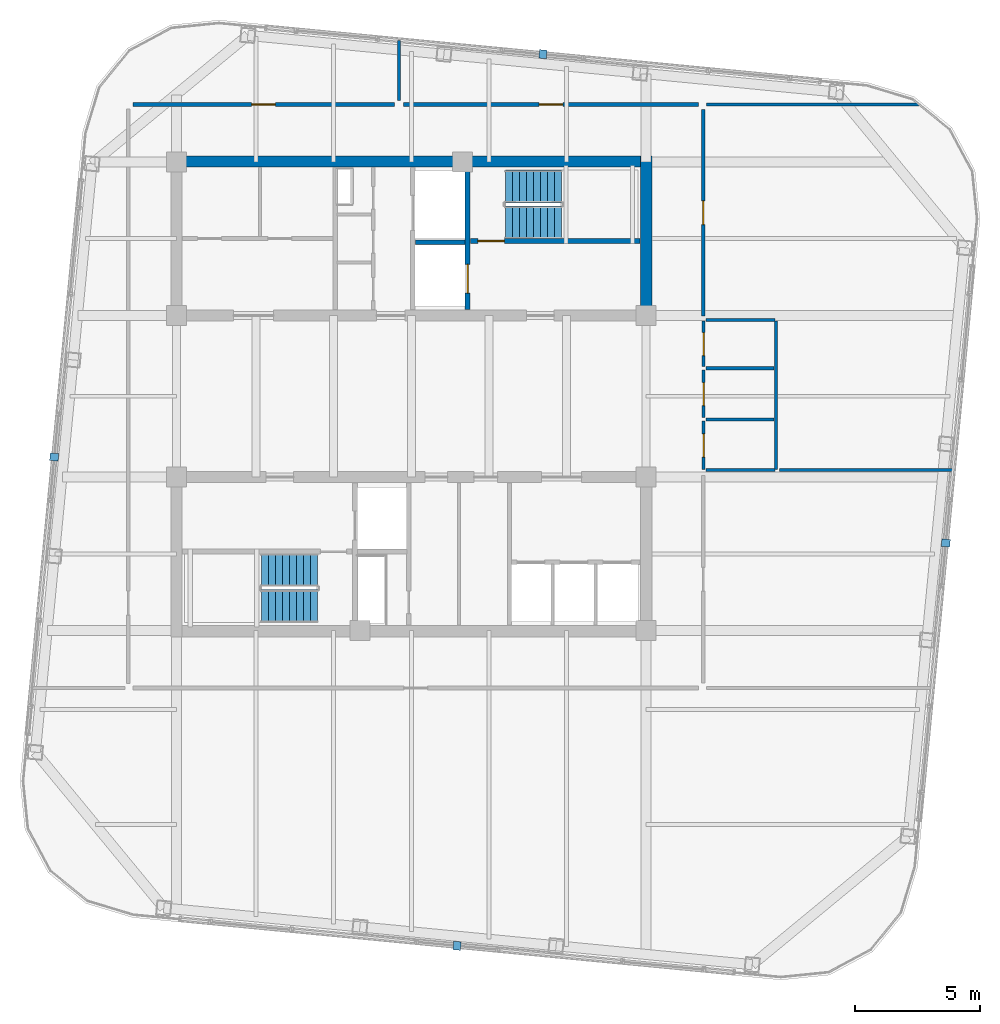
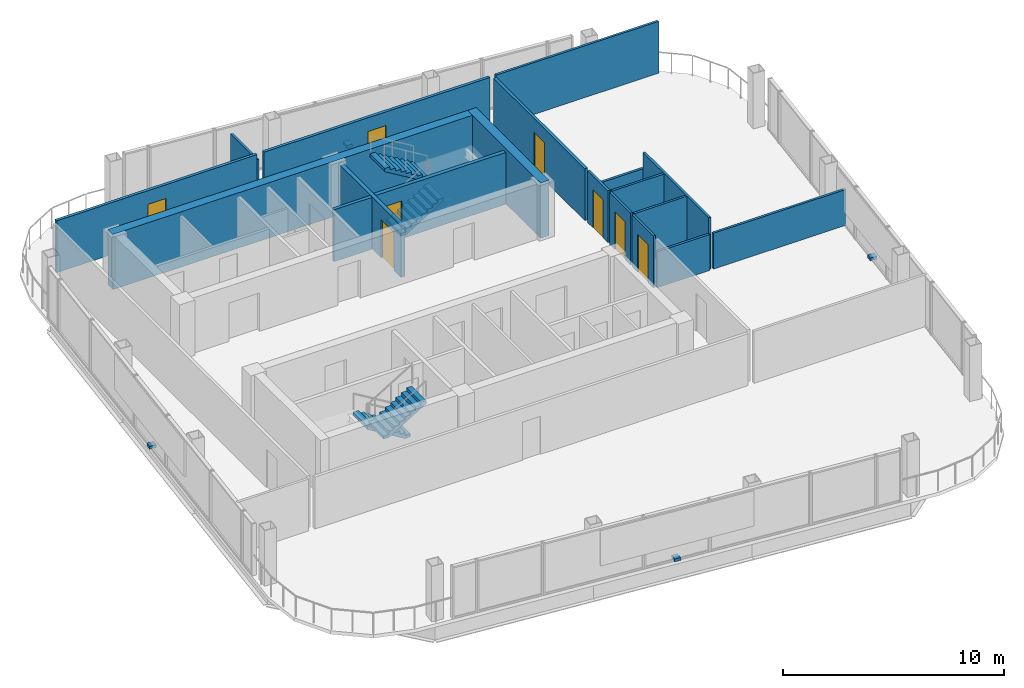
# One storey, part 18 of 22: 19 walls, 8 doors, 4 discrete accessories, 4 stair flights, 8 openings, 2 elements without a shape of their own.
"""IFC4 building model written with IfcOpenShell, lengths in metres."""

import ifcopenshell
import ifcopenshell.guid

model = None  # the IFC model being written
_history = None  # IfcOwnerHistory: only IFC2X3 demands one
_inside = {}  # id of a spatial element -> (the spatial element, [elements in it])
_under = {}  # id of a project, library or spatial element -> (it, [spatial elements below it])
_declared = {}  # id of a project -> (the project, [libraries it declares])
_typed = {}  # id of a type object -> (the type object, [elements of that type])
_made_of = {}  # id of a material, layer set ... -> (it, [elements and type objects made of it])


def new_model(schema):
    """Start an empty IFC model of exactly this schema.

    Asked for "IFC4X3", IfcOpenShell would pick the latest addendum, in which some entities
    have other attributes; the version numbers below select the first issue.
    IFC2X3 requires an IfcOwnerHistory on every rooted entity: one is made here for all.
    """
    global model, _history
    if schema == "IFC4X3":
        model = ifcopenshell.file(schema_version=(4, 3, 0, 0))
    else:
        model = ifcopenshell.file(schema=schema)
    _inside.clear()
    _under.clear()
    _declared.clear()
    _typed.clear()
    _made_of.clear()
    _history = None
    if model.schema == "IFC2X3":
        org = make("IfcOrganization", Name="unknown")
        user = make(
            "IfcPersonAndOrganization",
            ThePerson=make("IfcPerson", FamilyName="unknown"),
            TheOrganization=org,
        )
        app = make(
            "IfcApplication",
            ApplicationDeveloper=org,
            Version="unknown",
            ApplicationFullName="unknown",
            ApplicationIdentifier="unknown",
        )
        _history = make(
            "IfcOwnerHistory",
            OwningUser=user,
            OwningApplication=app,
            ChangeAction="ADDED",
            CreationDate=0,
        )
    return model


def make(cls, **values):
    """One entity of the class cls with the attributes given. An attribute that is None is left unset."""
    return model.create_entity(
        cls, **{name: value for name, value in values.items() if value is not None}
    )


def rooted(cls, **values):
    """An entity with a GlobalId (a new one), such as an element, a storey or a relation."""
    return make(cls, GlobalId=ifcopenshell.guid.new(), OwnerHistory=_history, **values)


def si_unit(unit_type, name, prefix=None):
    """IfcSIUnit, for example si_unit("LENGTHUNIT", "METRE", prefix="MILLI")."""
    return make("IfcSIUnit", UnitType=unit_type, Prefix=prefix, Name=name)


def assignment(units):
    """IfcUnitAssignment: the units of a project."""
    return None if units is None else make("IfcUnitAssignment", Units=units)


def point(xyz):
    """IfcCartesianPoint."""
    return None if xyz is None else make("IfcCartesianPoint", Coordinates=xyz)


def direction(xyz):
    """IfcDirection."""
    return None if xyz is None else make("IfcDirection", DirectionRatios=xyz)


def frame(location, z_axis=None, x_axis=None):
    """IfcAxis2Placement3D, a coordinate frame: its origin and axes. An axis left out is left unset."""
    return make(
        "IfcAxis2Placement3D",
        Location=point(location),
        Axis=direction(z_axis),
        RefDirection=direction(x_axis),
    )


def frame_2d(location, x_axis=None):
    """IfcAxis2Placement2D, a coordinate frame in the plane: its origin and x axis."""
    return make(
        "IfcAxis2Placement2D", Location=point(location), RefDirection=direction(x_axis)
    )


def origin():
    """The frame at (0, 0, 0) with its axes left unset."""
    return frame((0.0, 0.0, 0.0))


def origin_2d():
    """The frame at (0, 0) in the plane with its x axis left unset."""
    return frame_2d((0.0, 0.0))


def place(relative_to, where):
    """IfcLocalPlacement: puts the frame where relative to a parent placement (None: the world)."""
    return make(
        "IfcLocalPlacement", PlacementRelTo=relative_to, RelativePlacement=where
    )


def context(
    kind, dimensions, precision=None, world=None, true_north=None, identifier=None
):
    """IfcGeometricRepresentationContext, for example the 3D "Model" context."""
    return make(
        "IfcGeometricRepresentationContext",
        ContextIdentifier=identifier,
        ContextType=kind,
        CoordinateSpaceDimension=dimensions,
        Precision=precision,
        WorldCoordinateSystem=world,
        TrueNorth=true_north,
    )


def subcontext(parent, identifier, kind, view, scale=None):
    """IfcGeometricRepresentationSubContext, for example "Body" below "Model"."""
    return make(
        "IfcGeometricRepresentationSubContext",
        ContextIdentifier=identifier,
        ContextType=kind,
        ParentContext=parent,
        TargetScale=scale,
        TargetView=view,
    )


def project(units=None, contexts=None):
    """IfcProject with its units and contexts."""
    return rooted(
        "IfcProject",
        Name="project",
        RepresentationContexts=contexts,
        UnitsInContext=assignment(units),
    )


def spatial(cls, under=None, at=None, **own):
    """A site, building, storey or space (cls), placed at a placement, below another one or the project."""
    s = rooted(cls, ObjectPlacement=at, **own)
    if under is not None:
        _under.setdefault(under.id(), (under, []))[1].append(s)
    return s


def polyline(points):
    """IfcPolyline through the points."""
    return make("IfcPolyline", Points=[point(p) for p in points])


def profile(cls, at=None, kind="AREA", **sizes):
    """A parametric profile (cls). Its sizes go by their IFC names, for example OverallWidth=200.0."""
    return make(cls, ProfileType=kind, Position=at, **sizes)


def rectangle(**sizes):
    """IfcRectangleProfileDef."""
    return profile("IfcRectangleProfileDef", **sizes)


def outline(outer, holes=None, kind="AREA"):
    """IfcArbitraryClosedProfileDef: a profile drawn as a closed curve; with holes, ...WithVoids."""
    if holes is None:
        return make("IfcArbitraryClosedProfileDef", ProfileType=kind, OuterCurve=outer)
    return make(
        "IfcArbitraryProfileDefWithVoids",
        ProfileType=kind,
        OuterCurve=outer,
        InnerCurves=holes,
    )


def extrude(swept, where, along, depth):
    """IfcExtrudedAreaSolid: the profile swept, set in the frame where, extruded along a direction by depth."""
    return make(
        "IfcExtrudedAreaSolid",
        SweptArea=swept,
        Position=where,
        ExtrudedDirection=direction(along),
        Depth=depth,
    )


def shape(context_of_items, identifier, shape_type, items):
    """IfcShapeRepresentation: the items that make up one representation, for example the "Body"."""
    return make(
        "IfcShapeRepresentation",
        ContextOfItems=context_of_items,
        RepresentationIdentifier=identifier,
        RepresentationType=shape_type,
        Items=items,
    )


def material(Name=None, Category=None):
    """IfcMaterial."""
    return make("IfcMaterial", Name=Name, Category=Category)


def layer(
    of_material, thickness, ventilated=None, Name=None, Category=None, Priority=None
):
    """IfcMaterialLayer: one layer of a wall or slab, of a material (None: an air gap)."""
    return make(
        "IfcMaterialLayer",
        Material=of_material,
        LayerThickness=thickness,
        IsVentilated=ventilated,
        Name=Name,
        Category=Category,
        Priority=Priority,
    )


def layer_set(layers, Name=None):
    """IfcMaterialLayerSet."""
    return make("IfcMaterialLayerSet", MaterialLayers=layers, LayerSetName=Name)


def made_of(thing, what):
    """Note that an element or type object is made of a material, layer set ...; save() writes the relation."""
    if what is not None:
        _made_of.setdefault(what.id(), (what, []))[1].append(thing)
    return thing


def type_object(cls, material=None, **own):
    """A type object (cls), such as IfcWallType, which elements share."""
    return made_of(rooted(cls, **own), material)


def element(
    cls,
    number,
    at=None,
    inside=None,
    cuts=None,
    type_object=None,
    material=None,
    context=None,
    identifier="Body",
    shape_type=None,
    held_by="IfcProductDefinitionShape",
    body=None,
    shapes=None,
    **own,
):
    """One element of the class cls, such as IfcWall. Its Tag is "e" and its number.

    at: its placement. inside: the storey or other place that contains it. cuts: it is an
    opening in that element (IfcRelVoidsElement). A single representation is given by context,
    identifier, shape_type and body (its items); several are given by shapes. held_by: the class
    of the entity that holds the representations. save() writes the other relations.
    """
    e = rooted(cls, Tag="e%d" % number, ObjectPlacement=at, **own)
    if body is not None:
        shapes = [shape(context, identifier, shape_type, body)]
    if shapes is not None:
        e.Representation = make(held_by, Representations=shapes)
    if inside is not None:
        _inside.setdefault(inside.id(), (inside, []))[1].append(e)
    if cuts is not None:
        rooted(
            "IfcRelVoidsElement", RelatingBuildingElement=cuts, RelatedOpeningElement=e
        )
    if type_object is not None:
        _typed.setdefault(type_object.id(), (type_object, []))[1].append(e)
    return made_of(e, material)


def fill(opening, filler):
    """IfcRelFillsElement: the door or window that sits in an opening."""
    return rooted(
        "IfcRelFillsElement",
        RelatingOpeningElement=opening,
        RelatedBuildingElement=filler,
    )


def aggregate(whole, parts):
    """IfcRelAggregates: a whole, such as a stair, and the parts it consists of."""
    return rooted("IfcRelAggregates", RelatingObject=whole, RelatedObjects=parts)


def save(model, path):
    """Write the relations noted so far, then the file.

    IfcRelAggregates (storeys below a building ...), IfcRelContainedInSpatialStructure (elements
    in a storey), IfcRelDefinesByType, IfcRelAssociatesMaterial and IfcRelDeclares: one each for
    every whole, place, type object, material and project.
    """
    for whole, parts in _under.values():
        aggregate(whole, parts)
    for where, things in _inside.values():
        rooted(
            "IfcRelContainedInSpatialStructure",
            RelatedElements=things,
            RelatingStructure=where,
        )
    for kind, things in _typed.values():
        rooted("IfcRelDefinesByType", RelatedObjects=things, RelatingType=kind)
    for what, things in _made_of.values():
        rooted("IfcRelAssociatesMaterial", RelatedObjects=things, RelatingMaterial=what)
    for by, libraries in _declared.values():
        rooted("IfcRelDeclares", RelatingContext=by, RelatedDefinitions=libraries)
    model.write(path)


model = new_model("IFC4")

# Units and contexts
model_context = context("Model", 3, precision=1e-05, world=origin(), true_north=direction((0.0, 1.0)))
body_context = subcontext(model_context, "Body", "Model", "MODEL_VIEW")
ifc_project = project(units=[si_unit("LENGTHUNIT", "METRE"), si_unit("AREAUNIT", "SQUARE_METRE"), si_unit("VOLUMEUNIT", "CUBIC_METRE"), si_unit("PLANEANGLEUNIT", "RADIAN"), si_unit("MASSUNIT", "GRAM", prefix="KILO")], contexts=[model_context])

# Site, building, storey
site_placement = place(None, origin())
site = spatial("IfcSite", under=ifc_project, at=site_placement, CompositionType="ELEMENT")
building_placement = place(site_placement, origin())
building = spatial("IfcBuilding", under=site, at=building_placement, Name="Qhalaya Broadcast Tower", CompositionType="ELEMENT")
storey_placement = place(building_placement, frame((0.0, 0.0, 245.89990234375)))
storey = spatial("IfcBuildingStorey", under=building, at=storey_placement, Name="L72", CompositionType="ELEMENT", Elevation=245.89990234375)

# Wall, opening, door
ifc_material_1 = material(Name="Gypsum Acoustic Partition")
ifc_layer_1 = layer(ifc_material_1, 0.14990234375, Name="Gypsum Acoustic Partition")
ifc_layer_set_1 = layer_set([ifc_layer_1], Name="Gypsum Acoustic Partition")
wall_type_1 = type_object("IfcWallType", Name="Corridor & Tenancy Acoustic Partition 150", PredefinedType="PARTITIONING", material=ifc_layer_set_1)
wall_1_placement = place(storey_placement, frame((-11.1201171875, 12.25, 0.0), z_axis=(0.0, 0.0, 1.0), x_axis=(1.0, 0.0, 0.0)))
wall_1 = element("IfcWall", 1, at=wall_1_placement, inside=storey, type_object=wall_type_1, Name="L72 Partition Wall W-COR-01", PredefinedType="PARTITIONING", context=body_context, shape_type="SweptSolid", body=[
    extrude(rectangle(XDim=10.440185546875, YDim=0.14990234375, at=frame_2d((5.22021484375, 0.0))), origin(), (0.0, 0.0, 1.0), 2.860107421875),
])
opening_1_placement = place(wall_1_placement, frame((4.7451171875, 0.0, 0.0)))
opening_1 = element("IfcOpeningElement", 2, at=opening_1_placement, cuts=wall_1, Name="Opening D10", PredefinedType="OPENING", context=body_context, shape_type="SweptSolid", body=[
    extrude(rectangle(XDim=0.949951171875, YDim=2.10009765625, at=frame_2d((0.47509765625, 1.050048828125))), frame((0.0, 0.0869140625, 0.0), z_axis=(0.0, -1.0, 0.0), x_axis=(1.0, 0.0, 0.0)), (0.0, 0.0, 1.0), 0.173828125),
])
ifc_material_2 = material(Name="Timber Veneer Acoustic Door", Category="wood")
door_type_1 = type_object("IfcDoorType", Name="Cellular Office & Edit Booth Door D10", OperationType="NOTDEFINED", PredefinedType="DOOR", material=ifc_material_2)
door_1_placement = place(opening_1_placement, origin())
door_1 = element("IfcDoor", 3, at=door_1_placement, inside=storey, type_object=door_type_1, Name="L72 Door D-RM01", OperationType="SINGLE_SWING_RIGHT", OverallHeight=2.10009765625, OverallWidth=0.949951171875, PredefinedType="DOOR", context=body_context, shape_type="SweptSolid", body=[
    extrude(rectangle(XDim=0.949951171875, YDim=2.10009765625, at=frame_2d((0.47509765625, 1.050048828125))), frame((0.0, 0.02490234375, 0.0), z_axis=(0.0, -1.0, 0.0), x_axis=(1.0, 0.0, 0.0)), (0.0, 0.0, 1.0), 0.050048828125),
])
fill(opening_1, door_1)

wall_2_placement = place(storey_placement, frame((-0.320068359375, 12.25, 0.0), z_axis=(0.0, 0.0, 1.0), x_axis=(1.0, 0.0, 0.0)))
wall_2 = element("IfcWall", 4, at=wall_2_placement, inside=storey, type_object=wall_type_1, Name="L72 Partition Wall W-COR-02", PredefinedType="PARTITIONING", context=body_context, shape_type="SweptSolid", body=[
    extrude(rectangle(XDim=11.7900390625, YDim=0.14990234375, at=frame_2d((5.89501953125, 0.0))), origin(), (0.0, 0.0, 1.0), 2.860107421875),
])
opening_2_placement = place(wall_2_placement, frame((5.419921875, 0.0, 0.0)))
opening_2 = element("IfcOpeningElement", 5, at=opening_2_placement, cuts=wall_2, Name="Opening D10", PredefinedType="OPENING", context=body_context, shape_type="SweptSolid", body=[
    extrude(rectangle(XDim=0.949951171875, YDim=2.10009765625, at=frame_2d((0.47509765625, 1.050048828125))), frame((0.0, 0.0869140625, 0.0), z_axis=(0.0, -1.0, 0.0), x_axis=(1.0, 0.0, 0.0)), (0.0, 0.0, 1.0), 0.173828125),
])
door_2_placement = place(opening_2_placement, origin())
door_2 = element("IfcDoor", 6, at=door_2_placement, inside=storey, type_object=door_type_1, Name="L72 Door D-RM02", OperationType="SINGLE_SWING_LEFT", OverallHeight=2.10009765625, OverallWidth=0.949951171875, PredefinedType="DOOR", context=body_context, shape_type="SweptSolid", body=[
    extrude(rectangle(XDim=0.949951171875, YDim=2.10009765625, at=frame_2d((0.47509765625, 1.050048828125))), frame((0.0, 0.02490234375, 0.0), z_axis=(0.0, -1.0, 0.0), x_axis=(1.0, 0.0, 0.0)), (0.0, 0.0, 1.0), 0.050048828125),
])
fill(opening_2, door_2)

wall_3_placement = place(storey_placement, frame((11.64990234375, 3.800048828125, 0.0), z_axis=(0.0, 0.0, 1.0), x_axis=(0.0, 1.0, 0.0)))
wall_3 = element("IfcWall", 7, at=wall_3_placement, inside=storey, type_object=wall_type_1, Name="L72 Partition Wall W-COR-06", PredefinedType="PARTITIONING", context=body_context, shape_type="SweptSolid", body=[
    extrude(rectangle(XDim=8.25, YDim=0.14990234375, at=frame_2d((4.125, 0.0))), origin(), (0.0, 0.0, 1.0), 2.860107421875),
])
opening_3_placement = place(wall_3_placement, frame((3.64990234375, 0.0, 0.0)))
opening_3 = element("IfcOpeningElement", 8, at=opening_3_placement, cuts=wall_3, Name="Opening D10", PredefinedType="OPENING", context=body_context, shape_type="SweptSolid", body=[
    extrude(rectangle(XDim=0.949951171875, YDim=2.10009765625, at=frame_2d((0.47509765625, 1.050048828125))), frame((0.0, 0.0869140625, 0.0), z_axis=(0.0, -1.0, 0.0), x_axis=(1.0, 0.0, 0.0)), (0.0, 0.0, 1.0), 0.173828125),
])
door_3_placement = place(opening_3_placement, origin())
door_3 = element("IfcDoor", 9, at=door_3_placement, inside=storey, type_object=door_type_1, Name="L72 Door D-RM06", OperationType="SINGLE_SWING_LEFT", OverallHeight=2.10009765625, OverallWidth=0.949951171875, PredefinedType="DOOR", context=body_context, shape_type="SweptSolid", body=[
    extrude(rectangle(XDim=0.949951171875, YDim=2.10009765625, at=frame_2d((0.47509765625, 1.050048828125))), frame((0.0, 0.02490234375, 0.0), z_axis=(0.0, -1.0, 0.0), x_axis=(1.0, 0.0, 0.0)), (0.0, 0.0, 1.0), 0.050048828125),
])
fill(opening_3, door_3)

ifc_material_3 = material(Name="Concrete C50/60", Category="concrete")
ifc_layer_2 = layer(ifc_material_3, 0.199951171875, Name="Concrete C50/60")
ifc_layer_set_2 = layer_set([ifc_layer_2], Name="Concrete C50/60")
wall_type_2 = type_object("IfcWallType", Name="Load-Bearing Stair Shaft Wall 200", PredefinedType="SHEAR", material=ifc_layer_set_2)
wall_4_placement = place(storey_placement, frame((2.360107421875, 6.804931640625, 0.0), z_axis=(0.0, 0.0, 1.0), x_axis=(1.0, 0.0, 0.0)))
wall_4 = element("IfcWall", 10, at=wall_4_placement, inside=storey, type_object=wall_type_2, Name="L72 Stair Core Shear Wall NCW-ST1", PredefinedType="SHEAR", context=body_context, shape_type="SweptSolid", body=[
    extrude(rectangle(XDim=6.769775390625, YDim=0.199951171875, at=frame_2d((3.384765625, 0.0))), origin(), (0.0, 0.0, 1.0), 2.860107421875),
])
opening_4_placement = place(wall_4_placement, frame((0.300048828125, 0.0, 0.0)))
opening_4 = element("IfcOpeningElement", 11, at=opening_4_placement, cuts=wall_4, Name="Opening D03", PredefinedType="OPENING", context=body_context, shape_type="SweptSolid", body=[
    extrude(rectangle(XDim=1.050048828125, YDim=2.080078125, at=frame_2d((0.52490234375, 1.0400390625))), frame((0.0, 0.112060546875, 0.0), z_axis=(0.0, -1.0, 0.0), x_axis=(1.0, 0.0, 0.0)), (0.0, 0.0, 1.0), 0.223876953125),
])
ifc_material_4 = material(Name="Fire-Rated Steel Door", Category="steel")
door_type_2 = type_object("IfcDoorType", Name="Core Stair Protected Fire Door D03", OperationType="NOTDEFINED", PredefinedType="DOOR", material=ifc_material_4)
door_4_placement = place(opening_4_placement, origin())
door_4 = element("IfcDoor", 12, at=door_4_placement, inside=storey, type_object=door_type_2, Name="L72 Door D-NST1", OperationType="SINGLE_SWING_LEFT", OverallHeight=2.080078125, OverallWidth=1.050048828125, PredefinedType="DOOR", context=body_context, shape_type="SweptSolid", body=[
    extrude(rectangle(XDim=1.050048828125, YDim=2.080078125, at=frame_2d((0.52490234375, 1.0400390625))), frame((0.0, 0.02490234375, 0.0), z_axis=(0.0, -1.0, 0.0), x_axis=(1.0, 0.0, 0.0)), (0.0, 0.0, 1.0), 0.050048828125),
])
fill(opening_4, door_4)

wall_5_placement = place(storey_placement, frame((2.25, 4.070068359375, 0.0), z_axis=(0.0, 0.0, 1.0), x_axis=(0.0, 1.0, 0.0)))
wall_5 = element("IfcWall", 13, at=wall_5_placement, inside=storey, type_object=wall_type_2, Name="L72 Stair Core Shear Wall NCW-FF", PredefinedType="SHEAR", context=body_context, shape_type="SweptSolid", body=[
    extrude(rectangle(XDim=5.659912109375, YDim=0.199951171875, at=frame_2d((2.830078125, 0.0))), origin(), (0.0, 0.0, 1.0), 2.860107421875),
])
opening_5_placement = place(wall_5_placement, frame((0.64990234375, 0.0, 0.0)))
opening_5 = element("IfcOpeningElement", 14, at=opening_5_placement, cuts=wall_5, Name="Opening LD2", PredefinedType="OPENING", context=body_context, shape_type="SweptSolid", body=[
    extrude(rectangle(XDim=1.14990234375, YDim=2.080078125, at=frame_2d((0.574951171875, 1.0400390625))), frame((0.0, 0.112060546875, 0.0), z_axis=(0.0, -1.0, 0.0), x_axis=(1.0, 0.0, 0.0)), (0.0, 0.0, 1.0), 0.223876953125),
])
ifc_material_5 = material(Name="Brushed Stainless Steel Lift Door", Category="steel")
door_type_3 = type_object("IfcDoorType", Name="Firefighting Lift Sliding Landing Door LD2", OperationType="DOUBLE_DOOR_SLIDING", PredefinedType="DOOR", material=ifc_material_5)
door_5_placement = place(opening_5_placement, origin())
door_5 = element("IfcDoor", 15, at=door_5_placement, inside=storey, type_object=door_type_3, Name="L72 Door LD-FF1", OperationType="DOUBLE_DOOR_SLIDING", OverallHeight=2.080078125, OverallWidth=1.14990234375, PredefinedType="DOOR", context=body_context, shape_type="SweptSolid", body=[
    extrude(rectangle(XDim=1.14990234375, YDim=2.080078125, at=frame_2d((0.574951171875, 1.0400390625))), frame((0.0, 0.02490234375, 0.0), z_axis=(0.0, -1.0, 0.0), x_axis=(1.0, 0.0, 0.0)), (0.0, 0.0, 1.0), 0.050048828125),
])
fill(opening_5, door_5)

ifc_layer_3 = layer(ifc_material_1, 0.1201171875, Name="Gypsum Acoustic Partition")
ifc_layer_set_3 = layer_set([ifc_layer_3], Name="Gypsum Acoustic Partition")
wall_type_3 = type_object("IfcWallType", Name="Office, Booth & Sanitary Partition 120", PredefinedType="PARTITIONING", material=ifc_layer_set_3)
wall_6_placement = place(storey_placement, frame((11.669921875, -2.320068359375, 0.0), z_axis=(0.0, 0.0, 1.0), x_axis=(0.0, 1.0, 0.0)))
wall_6 = element("IfcWall", 16, at=wall_6_placement, inside=storey, type_object=wall_type_3, Name="L72 Partition Wall W-WCWA", PredefinedType="PARTITIONING", context=body_context, shape_type="SweptSolid", body=[
    extrude(rectangle(XDim=1.940185546875, YDim=0.1201171875, at=frame_2d((0.97021484375, 0.0))), origin(), (0.0, 0.0, 1.0), 2.860107421875),
])
opening_6_placement = place(wall_6_placement, frame((0.4951171875, 0.0, 0.0)))
opening_6 = element("IfcOpeningElement", 17, at=opening_6_placement, cuts=wall_6, Name="Opening D12", PredefinedType="OPENING", context=body_context, shape_type="SweptSolid", body=[
    extrude(rectangle(XDim=0.919921875, YDim=2.10009765625, at=frame_2d((0.4599609375, 1.050048828125))), frame((0.0, 0.072021484375, 0.0), z_axis=(0.0, -1.0, 0.0), x_axis=(1.0, 0.0, 0.0)), (0.0, 0.0, 1.0), 0.14404296875),
])
door_type_4 = type_object("IfcDoorType", Name="Accessible WC & Restroom Door D12", OperationType="NOTDEFINED", PredefinedType="DOOR", material=ifc_material_2)
door_6_placement = place(opening_6_placement, origin())
door_6 = element("IfcDoor", 18, at=door_6_placement, inside=storey, type_object=door_type_4, Name="L72 Door D-WCA", OperationType="SINGLE_SWING_LEFT", OverallHeight=2.10009765625, OverallWidth=0.919921875, PredefinedType="DOOR", context=body_context, shape_type="SweptSolid", body=[
    extrude(rectangle(XDim=0.919921875, YDim=2.10009765625, at=frame_2d((0.4599609375, 1.050048828125))), frame((0.0, 0.02490234375, 0.0), z_axis=(0.0, -1.0, 0.0), x_axis=(1.0, 0.0, 0.0)), (0.0, 0.0, 1.0), 0.050048828125),
])
fill(opening_6, door_6)

wall_7_placement = place(storey_placement, frame((11.669921875, -0.25, 0.0), z_axis=(0.0, 0.0, 1.0), x_axis=(0.0, 1.0, 0.0)))
wall_7 = element("IfcWall", 19, at=wall_7_placement, inside=storey, type_object=wall_type_3, Name="L72 Partition Wall W-WCWM", PredefinedType="PARTITIONING", context=body_context, shape_type="SweptSolid", body=[
    extrude(rectangle(XDim=1.89990234375, YDim=0.1201171875, at=frame_2d((0.949951171875, 0.0))), origin(), (0.0, 0.0, 1.0), 2.860107421875),
])
opening_7_placement = place(wall_7_placement, frame((0.47509765625, 0.0, 0.0)))
opening_7 = element("IfcOpeningElement", 20, at=opening_7_placement, cuts=wall_7, Name="Opening D12", PredefinedType="OPENING", context=body_context, shape_type="SweptSolid", body=[
    extrude(rectangle(XDim=0.919921875, YDim=2.10009765625, at=frame_2d((0.4599609375, 1.050048828125))), frame((0.0, 0.072021484375, 0.0), z_axis=(0.0, -1.0, 0.0), x_axis=(1.0, 0.0, 0.0)), (0.0, 0.0, 1.0), 0.14404296875),
])
door_7_placement = place(opening_7_placement, origin())
door_7 = element("IfcDoor", 21, at=door_7_placement, inside=storey, type_object=door_type_4, Name="L72 Door D-WCM", OperationType="SINGLE_SWING_RIGHT", OverallHeight=2.10009765625, OverallWidth=0.919921875, PredefinedType="DOOR", context=body_context, shape_type="SweptSolid", body=[
    extrude(rectangle(XDim=0.919921875, YDim=2.10009765625, at=frame_2d((0.4599609375, 1.050048828125))), frame((0.0, 0.02490234375, 0.0), z_axis=(0.0, -1.0, 0.0), x_axis=(1.0, 0.0, 0.0)), (0.0, 0.0, 1.0), 0.050048828125),
])
fill(opening_7, door_7)

wall_8_placement = place(storey_placement, frame((11.669921875, 1.780029296875, 0.0), z_axis=(0.0, 0.0, 1.0), x_axis=(0.0, 1.0, 0.0)))
wall_8 = element("IfcWall", 22, at=wall_8_placement, inside=storey, type_object=wall_type_3, Name="L72 Partition Wall W-WCWF", PredefinedType="PARTITIONING", context=body_context, shape_type="SweptSolid", body=[
    extrude(rectangle(XDim=1.830078125, YDim=0.1201171875, at=frame_2d((0.9150390625, 0.0))), origin(), (0.0, 0.0, 1.0), 2.860107421875),
])
opening_8_placement = place(wall_8_placement, frame((0.43994140625, 0.0, 0.0)))
opening_8 = element("IfcOpeningElement", 23, at=opening_8_placement, cuts=wall_8, Name="Opening D12", PredefinedType="OPENING", context=body_context, shape_type="SweptSolid", body=[
    extrude(rectangle(XDim=0.919921875, YDim=2.10009765625, at=frame_2d((0.4599609375, 1.050048828125))), frame((0.0, 0.072021484375, 0.0), z_axis=(0.0, -1.0, 0.0), x_axis=(1.0, 0.0, 0.0)), (0.0, 0.0, 1.0), 0.14404296875),
])
door_8_placement = place(opening_8_placement, origin())
door_8 = element("IfcDoor", 24, at=door_8_placement, inside=storey, type_object=door_type_4, Name="L72 Door D-WCF", OperationType="SINGLE_SWING_LEFT", OverallHeight=2.10009765625, OverallWidth=0.919921875, PredefinedType="DOOR", context=body_context, shape_type="SweptSolid", body=[
    extrude(rectangle(XDim=0.919921875, YDim=2.10009765625, at=frame_2d((0.4599609375, 1.050048828125))), frame((0.0, 0.02490234375, 0.0), z_axis=(0.0, -1.0, 0.0), x_axis=(1.0, 0.0, 0.0)), (0.0, 0.0, 1.0), 0.050048828125),
])
fill(opening_8, door_8)

# Walls
wall_9_placement = place(storey_placement, frame((14.550048828125, -2.320068359375, 0.0), z_axis=(0.0, 0.0, 1.0), x_axis=(0.0, 1.0, 0.0)))
element("IfcWall", 25, at=wall_9_placement, inside=storey, type_object=wall_type_3, Name="L72 Partition Wall W-WCE", PredefinedType="PARTITIONING", context=body_context, shape_type="SweptSolid", body=[
    extrude(rectangle(XDim=5.93017578125, YDim=0.1201171875, at=frame_2d((2.965087890625, 0.0))), origin(), (0.0, 0.0, 1.0), 2.860107421875),
])
for number, where, z_axis, x_axis, name in (
    (26, (11.760009765625, -2.35009765625, 0.0), (0.0, 0.0, 1.0), (1.0, 0.0, 0.0), "L72 Partition Wall W-WCS"),
    (27, (11.760009765625, 3.639892578125, 0.0), (0.0, 0.0, 1.0), (1.0, 0.0, 0.0), "L72 Partition Wall W-WCN"),
):
    element("IfcWall", number, at=place(storey_placement, frame(where, z_axis=z_axis, x_axis=x_axis)), inside=storey, type_object=wall_type_3, Name=name, PredefinedType="PARTITIONING", context=body_context, shape_type="SweptSolid", body=[
        extrude(rectangle(XDim=2.760009765625, YDim=0.1201171875, at=frame_2d((1.3798828125, 0.0))), origin(), (0.0, 0.0, 1.0), 1.981201171875),
    ])
for number, where, z_axis, x_axis, name in (
    (28, (11.760009765625, -0.320068359375, 0.0), (0.0, 0.0, 1.0), (1.0, 0.0, 0.0), "L72 Partition Wall W-WCD1"),
    (29, (11.760009765625, 1.719970703125, 0.0), (0.0, 0.0, 1.0), (1.0, 0.0, 0.0), "L72 Partition Wall W-WCD2"),
):
    element("IfcWall", number, at=place(storey_placement, frame(where, z_axis=z_axis, x_axis=x_axis)), inside=storey, type_object=wall_type_3, Name=name, PredefinedType="PARTITIONING", context=body_context, shape_type="SweptSolid", body=[
        extrude(rectangle(XDim=2.719970703125, YDim=0.1201171875, at=frame_2d((1.35986328125, 0.0))), origin(), (0.0, 0.0, 1.0), 2.860107421875),
    ])
wall_10_placement = place(storey_placement, frame((11.7900390625, 12.25, 0.0), z_axis=(0.0, 0.0, 1.0), x_axis=(1.0, 0.0, 0.0)))
element("IfcWall", 30, at=wall_10_placement, inside=storey, type_object=wall_type_3, Name="L72 Partition Wall W-BNDE1", PredefinedType="PARTITIONING", context=body_context, shape_type="SweptSolid", body=[
    extrude(rectangle(XDim=8.484130859375, YDim=0.1201171875, at=frame_2d((4.2421875, 0.0))), origin(), (0.0, 0.0, 1.0), 2.860107421875),
])
wall_11_placement = place(storey_placement, frame((-0.5, 12.409912109375, 0.0), z_axis=(0.0, 0.0, 1.0), x_axis=(0.0, 1.0, 0.0)))
element("IfcWall", 31, at=wall_11_placement, inside=storey, type_object=wall_type_3, Name="L72 Partition Wall W-DIVN1", PredefinedType="PARTITIONING", context=body_context, shape_type="SweptSolid", body=[
    extrude(rectangle(XDim=2.40185546875, YDim=0.1201171875, at=frame_2d((1.200927734375, 0.0))), origin(), (0.0, 0.0, 1.0), 2.381103515625),
])
wall_12_placement = place(storey_placement, frame((14.68994140625, -2.35009765625, 0.0), z_axis=(0.0, 0.0, 1.0), x_axis=(1.0, 0.0, 0.0)))
element("IfcWall", 32, at=wall_12_placement, inside=storey, type_object=wall_type_3, Name="L72 Partition Wall W-DIVE-WC", PredefinedType="PARTITIONING", context=body_context, shape_type="SweptSolid", body=[
    extrude(rectangle(XDim=6.92724609375, YDim=0.1201171875, at=frame_2d((3.463623046875, 0.0))), origin(), (0.0, 0.0, 1.0), 1.981201171875),
])
ifc_layer_4 = layer(ifc_material_1, 0.175048828125, Name="Gypsum Acoustic Partition")
ifc_layer_set_4 = layer_set([ifc_layer_4], Name="Gypsum Acoustic Partition")
wall_type_4 = type_object("IfcWallType", Name="Shaft & Riser Fire Partition 175", PredefinedType="PARTITIONING", material=ifc_layer_set_4)
wall_13_placement = place(storey_placement, frame((0.159912109375, 6.75, 0.0), z_axis=(0.0, 0.0, 1.0), x_axis=(1.0, 0.0, 0.0)))
element("IfcWall", 33, at=wall_13_placement, inside=storey, type_object=wall_type_4, Name="L72 Partition Wall NCW-SVM", PredefinedType="PARTITIONING", context=body_context, shape_type="SweptSolid", body=[
    extrude(rectangle(XDim=1.97998046875, YDim=0.175048828125, at=frame_2d((0.989990234375, 0.0))), origin(), (0.0, 0.0, 1.0), 2.860107421875),
])
ifc_layer_5 = layer(ifc_material_3, 0.449951171875, Name="Concrete C50/60")
ifc_layer_set_5 = layer_set([ifc_layer_5], Name="Concrete C50/60")
wall_type_5 = type_object("IfcWallType", Name="Upper Split-Core Shear Wall 450", PredefinedType="SHEAR", material=ifc_layer_set_5)
wall_14_placement = place(storey_placement, frame((-9.60009765625, 9.97509765625, 0.0), z_axis=(0.0, 0.0, 1.0), x_axis=(1.0, 0.0, 0.0)))
element("IfcWall", 34, at=wall_14_placement, inside=storey, type_object=wall_type_5, Name="L72 Split-Core Shear Wall CW-NN", PredefinedType="SHEAR", context=body_context, shape_type="SweptSolid", body=[
    extrude(rectangle(XDim=19.2001953125, YDim=0.449951171875, at=frame_2d((9.60009765625, 0.0))), origin(), (0.0, 0.0, 1.0), 3.050048828125),
])
wall_15_placement = place(storey_placement, frame((9.375, 3.60009765625, 0.0), z_axis=(0.0, 0.0, 1.0), x_axis=(0.0, 1.0, 0.0)))
element("IfcWall", 35, at=wall_15_placement, inside=storey, type_object=wall_type_5, Name="L72 Split-Core Shear Wall CW-NE", PredefinedType="SHEAR", context=body_context, shape_type="SweptSolid", body=[
    extrude(rectangle(XDim=6.599853515625, YDim=0.449951171875, at=frame_2d((3.2998046875, 0.0))), origin(), (0.0, 0.0, 1.0), 3.050048828125),
])

# Stair, stair flights
ifc_material_6 = material(Name="Concrete C40/50", Category="concrete")
stair_type = type_object("IfcStairType", Name="Protected Dogleg Core Stair 3150", PredefinedType="TWO_STRAIGHT_RUN_STAIR", material=ifc_material_6)
stair_1_placement = place(storey_placement, origin())
stair_1 = element("IfcStair", 36, at=stair_1_placement, inside=storey, type_object=stair_type, Name="L72 North Core Exit Stair ST-1", PredefinedType="TWO_STRAIGHT_RUN_STAIR")
ifc_material_7 = material(Name="Precast Concrete C40/50", Category="concrete")
stair_flight_type = type_object("IfcStairFlightType", Name="Precast Concrete Stair Flight 3150", PredefinedType="STRAIGHT", material=ifc_material_7)
stair_flight_1_placement = place(storey_placement, frame((3.75, 7.5400390625, 0.0), z_axis=(0.0, 0.0, 1.0), x_axis=(1.0, 0.0, 0.0)))
stair_flight_1 = element("IfcStairFlight", 37, at=stair_flight_1_placement, type_object=stair_flight_type, Name="ST-1 flight 1", NumberOfRisers=9, NumberOfTreads=8, PredefinedType="STRAIGHT", RiserHeight=0.169444444, TreadLength=0.28, context=body_context, shape_type="SweptSolid", body=[
    extrude(outline(polyline([(0.0, 0.0), (0.0, 0.16943359375), (0.280029296875, 0.16943359375), (0.280029296875, 0.3388671875), (0.56005859375, 0.3388671875), (0.56005859375, 0.50830078125), (0.840087890625, 0.50830078125), (0.840087890625, 0.677734375), (1.1201171875, 0.677734375), (1.1201171875, 0.84716796875), (1.39990234375, 0.84716796875), (1.39990234375, 1.0166015625), (1.679931640625, 1.0166015625), (1.679931640625, 1.18603515625), (1.9599609375, 1.18603515625), (1.9599609375, 1.35546875), (2.239990234375, 1.35546875), (2.239990234375, 1.52490234375), (2.239990234375, 1.180419921875), (0.28955078125, 0.0), (0.0, 0.0)])), frame((0.0, 0.66015625, 0.0), z_axis=(0.0, -1.0, 0.0), x_axis=(1.0, 0.0, 0.0)), (0.0, 0.0, 1.0), 1.320068359375),
])
stair_flight_2_placement = place(storey_placement, frame((5.989990234375, 8.97998046875, 1.525146484375), z_axis=(0.0, 0.0, 1.0), x_axis=(-1.0, 0.0, 0.0)))
stair_flight_2 = element("IfcStairFlight", 38, at=stair_flight_2_placement, type_object=stair_flight_type, Name="ST-1 flight 2", NumberOfRisers=9, NumberOfTreads=8, PredefinedType="STRAIGHT", RiserHeight=0.169444444, TreadLength=0.28, context=body_context, shape_type="SweptSolid", body=[
    extrude(outline(polyline([(0.0, 0.0), (0.0, 0.16943359375), (0.280029296875, 0.16943359375), (0.280029296875, 0.3388671875), (0.56005859375, 0.3388671875), (0.56005859375, 0.50830078125), (0.840087890625, 0.50830078125), (0.840087890625, 0.677734375), (1.1201171875, 0.677734375), (1.1201171875, 0.84716796875), (1.39990234375, 0.84716796875), (1.39990234375, 1.0166015625), (1.679931640625, 1.0166015625), (1.679931640625, 1.18603515625), (1.9599609375, 1.18603515625), (1.9599609375, 1.35546875), (2.239990234375, 1.35546875), (2.239990234375, 1.52490234375), (2.239990234375, 1.180419921875), (0.28955078125, 0.0), (0.0, 0.0)])), frame((0.0, 0.66015625, 0.0), z_axis=(0.0, -1.0, 0.0), x_axis=(1.0, 0.0, 0.0)), (0.0, 0.0, 1.0), 1.320068359375),
])
aggregate(stair_1, [stair_flight_1, stair_flight_2])

stair_2_placement = place(storey_placement, origin())
stair_2 = element("IfcStair", 39, at=stair_2_placement, inside=storey, type_object=stair_type, Name="L72 South Core Exit Stair ST-2", PredefinedType="TWO_STRAIGHT_RUN_STAIR")
stair_flight_3_placement = place(storey_placement, frame((-3.75, -6.340087890625, 0.0), z_axis=(0.0, 0.0, 1.0), x_axis=(-1.0, 0.0, 0.0)))
stair_flight_3 = element("IfcStairFlight", 40, at=stair_flight_3_placement, type_object=stair_flight_type, Name="ST-2 flight 1", NumberOfRisers=9, NumberOfTreads=8, PredefinedType="STRAIGHT", RiserHeight=0.169444444, TreadLength=0.28, context=body_context, shape_type="SweptSolid", body=[
    extrude(outline(polyline([(0.0, 0.0), (0.0, 0.16943359375), (0.280029296875, 0.16943359375), (0.280029296875, 0.3388671875), (0.56005859375, 0.3388671875), (0.56005859375, 0.50830078125), (0.840087890625, 0.50830078125), (0.840087890625, 0.677734375), (1.1201171875, 0.677734375), (1.1201171875, 0.84716796875), (1.39990234375, 0.84716796875), (1.39990234375, 1.0166015625), (1.679931640625, 1.0166015625), (1.679931640625, 1.18603515625), (1.9599609375, 1.18603515625), (1.9599609375, 1.35546875), (2.239990234375, 1.35546875), (2.239990234375, 1.52490234375), (2.239990234375, 1.180419921875), (0.28955078125, 0.0), (0.0, 0.0)])), frame((0.0, 0.66015625, 0.0), z_axis=(0.0, -1.0, 0.0), x_axis=(1.0, 0.0, 0.0)), (0.0, 0.0, 1.0), 1.320068359375),
])
stair_flight_4_placement = place(storey_placement, frame((-5.989990234375, -7.780029296875, 1.525146484375), z_axis=(0.0, 0.0, 1.0), x_axis=(1.0, 0.0, 0.0)))
stair_flight_4 = element("IfcStairFlight", 41, at=stair_flight_4_placement, type_object=stair_flight_type, Name="ST-2 flight 2", NumberOfRisers=9, NumberOfTreads=8, PredefinedType="STRAIGHT", RiserHeight=0.169444444, TreadLength=0.28, context=body_context, shape_type="SweptSolid", body=[
    extrude(outline(polyline([(0.0, 0.0), (0.0, 0.16943359375), (0.280029296875, 0.16943359375), (0.280029296875, 0.3388671875), (0.56005859375, 0.3388671875), (0.56005859375, 0.50830078125), (0.840087890625, 0.50830078125), (0.840087890625, 0.677734375), (1.1201171875, 0.677734375), (1.1201171875, 0.84716796875), (1.39990234375, 0.84716796875), (1.39990234375, 1.0166015625), (1.679931640625, 1.0166015625), (1.679931640625, 1.18603515625), (1.9599609375, 1.18603515625), (1.9599609375, 1.35546875), (2.239990234375, 1.35546875), (2.239990234375, 1.52490234375), (2.239990234375, 1.180419921875), (0.28955078125, 0.0), (0.0, 0.0)])), frame((0.0, 0.66015625, 0.0), z_axis=(0.0, -1.0, 0.0), x_axis=(1.0, 0.0, 0.0)), (0.0, 0.0, 1.0), 1.320068359375),
])
aggregate(stair_2, [stair_flight_3, stair_flight_4])

# Discrete accessories
ifc_material_8 = material(Name="Structural Steel ASTM A572 Grade 50", Category="steel")
discrete_accessory_type = type_object("IfcDiscreteAccessoryType", Name="Facade Baguette Support Bracket BRK-01", PredefinedType="BRACKET", material=ifc_material_8)
for number, where, z_axis, x_axis, name in (
    (42, (1.826171875, -21.337646484375, 0.0), (0.0, 0.0, 1.0), (0.995396198367, -0.09584575252, 0.0), "L72 Baguette Support Bracket S"),
    (43, (21.337646484375, -5.25390625, 0.0), (0.0, 0.0, 1.0), (0.09584575252, 0.995396198367, 0.0), "L72 Baguette Support Bracket E"),
    (44, (5.25390625, 14.2578125, 0.0), (0.0, 0.0, 1.0), (-0.995396198367, 0.09584575252, 0.0), "L72 Baguette Support Bracket N"),
    (45, (-14.2578125, -1.826171875, 0.0), (0.0, 0.0, 1.0), (-0.09584575252, -0.995396198367, 0.0), "L72 Baguette Support Bracket W"),
):
    element("IfcDiscreteAccessory", number, at=place(storey_placement, frame(where, z_axis=z_axis, x_axis=x_axis)), inside=storey, type_object=discrete_accessory_type, Name=name, PredefinedType="BRACKET", context=body_context, shape_type="SweptSolid", body=[
        extrude(rectangle(XDim=0.300048828125, YDim=0.340087890625, at=origin_2d()), origin(), (0.0, 0.0, 1.0), 0.159912109375),
    ])

save(model, "model.ifc")
